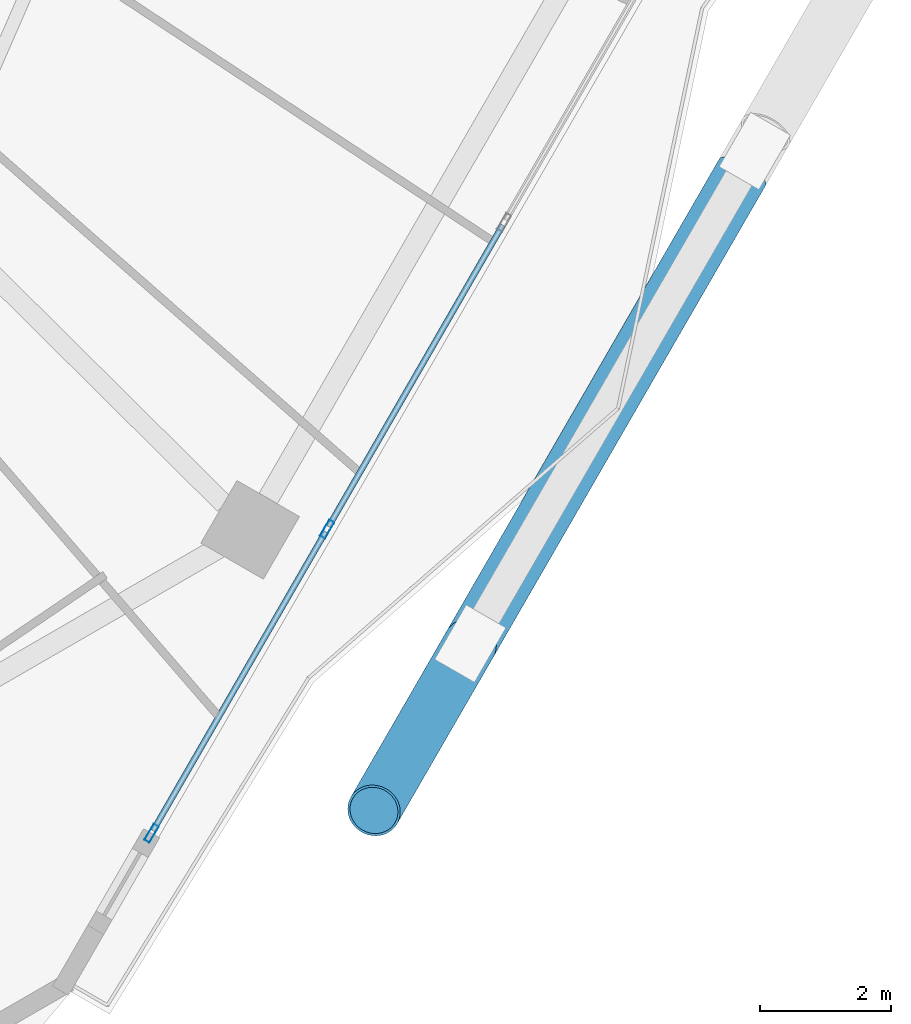
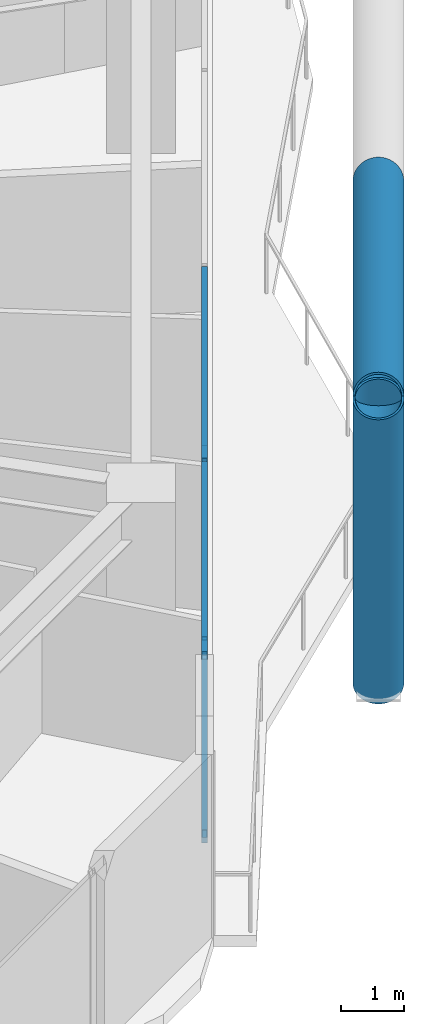
# One storey, part 9 of 34: 8 members, 1 element without a shape of its own.
"""IFC4 building model written with IfcOpenShell, lengths in metres."""

from ifc_helpers import new_model, si_unit, direction, frame, origin, origin_2d, place, context, subcontext, project, spatial, hollow_rectangle, hollow_circle, extrude, material, material_profile, profile_set, type_object, element, aggregate, save


model = new_model("IFC4")

# Units and contexts
model_context = context("Model", 3, precision=1e-05, world=origin(), true_north=direction((0.0, 1.0)))
body_context = subcontext(model_context, "Body", "Model", "MODEL_VIEW")
ifc_project = project(units=[si_unit("LENGTHUNIT", "METRE"), si_unit("AREAUNIT", "SQUARE_METRE"), si_unit("VOLUMEUNIT", "CUBIC_METRE"), si_unit("PLANEANGLEUNIT", "RADIAN"), si_unit("MASSUNIT", "GRAM", prefix="KILO")], contexts=[model_context])

# Site, building, storey
site_placement = place(None, origin())
site = spatial("IfcSite", under=ifc_project, at=site_placement, CompositionType="ELEMENT")
building_placement = place(site_placement, origin())
building = spatial("IfcBuilding", under=site, at=building_placement, Name="Zuhravey Tower", CompositionType="ELEMENT")
storey_placement = place(building_placement, frame((0.0, 0.0, 130.39990234375)))
storey = spatial("IfcBuildingStorey", under=building, at=storey_placement, Name="L32", CompositionType="ELEMENT", Elevation=130.39990234375)

# Curtain wall, members
ifc_material_1 = material(Name="Thermally broken anodised aluminium", Category="aluminium")
curtain_wall_type = type_object("IfcCurtainWallType", Name="Zone 1-2 Residential Curtain Wall CW3", PredefinedType="NOTDEFINED", material=ifc_material_1)
curtain_wall_placement = place(storey_placement, origin())
curtain_wall = element("IfcCurtainWall", 1, at=curtain_wall_placement, inside=storey, type_object=curtain_wall_type, Name="L32 CW3 CW-L32-F6-1", PredefinedType="NOTDEFINED")
ifc_material_2 = material(Name="Anodised aluminium", Category="aluminium")
ifc_material_profile_1 = material_profile(ifc_material_2, hollow_rectangle(XDim=0.090087890625, YDim=0.284912109375, WallThickness=0.0048828125, at=origin_2d()), Name="ALU-RHS-90x285x5")
ifc_profile_set_1 = profile_set([ifc_material_profile_1], Name="Anodised aluminium")
member_type_1 = type_object("IfcMemberType", Name="Curtain-Wall Mullion 90x180", PredefinedType="MULLION", material=ifc_profile_set_1)
member_1_placement = place(storey_placement, frame((57.69140625, 11.653564453125, 0.0), z_axis=(0.0, 0.0, 1.0), x_axis=(0.866025653253, -0.499999567908, 0.0)))
member_1 = element("IfcMember", 2, at=member_1_placement, type_object=member_type_1, Name="CW3 mullion 5", PredefinedType="MULLION", context=body_context, shape_type="SweptSolid", body=[
    extrude(hollow_rectangle(XDim=0.090087890625, YDim=0.284912109375, WallThickness=0.0048828125, at=origin_2d()), origin(), (0.0, 0.0, 1.0), 3.550048828125),
])
member_2_placement = place(storey_placement, frame((55.01708984375, 7.021484375, 0.0), z_axis=(0.0, 0.0, 1.0), x_axis=(0.866025653253, -0.499999567908, 0.0)))
member_2 = element("IfcMember", 3, at=member_2_placement, type_object=member_type_1, Name="CW3 mullion 6", PredefinedType="MULLION", context=body_context, shape_type="SweptSolid", body=[
    extrude(hollow_rectangle(XDim=0.090087890625, YDim=0.284912109375, WallThickness=0.0048828125, at=origin_2d()), origin(), (0.0, 0.0, 1.0), 3.550048828125),
])
ifc_material_profile_2 = material_profile(ifc_material_2, hollow_rectangle(XDim=0.090087890625, YDim=0.14990234375, WallThickness=0.0048828125, at=origin_2d()), Name="ALU-RHS-90x150x5")
ifc_profile_set_2 = profile_set([ifc_material_profile_2], Name="Anodised aluminium")
member_type_2 = type_object("IfcMemberType", Name="Curtain-Wall Transom 90x150", PredefinedType="USERDEFINED", material=ifc_profile_set_2)
member_3_placement = place(storey_placement, frame((60.365478515625, 16.28564453125, 0.045166015625), z_axis=(-0.49995622392, -0.866050676441, 0.0), x_axis=(0.866050676441, -0.49995622392, 0.0)))
member_3 = element("IfcMember", 4, at=member_3_placement, type_object=member_type_2, Name="CW3 transom 4.1", ObjectType="TRANSOM", PredefinedType="USERDEFINED", context=body_context, shape_type="SweptSolid", body=[
    extrude(hollow_rectangle(XDim=0.090087890625, YDim=0.14990234375, WallThickness=0.0048828125, at=origin_2d()), origin(), (0.0, 0.0, 1.0), 5.3037109375),
])
member_4_placement = place(storey_placement, frame((60.365478515625, 16.28564453125, 3.505126953125), z_axis=(-0.49995622392, -0.866050676441, 0.0), x_axis=(0.866050676441, -0.49995622392, 0.0)))
member_4 = element("IfcMember", 5, at=member_4_placement, type_object=member_type_2, Name="CW3 transom 4.2", ObjectType="TRANSOM", PredefinedType="USERDEFINED", context=body_context, shape_type="SweptSolid", body=[
    extrude(hollow_rectangle(XDim=0.090087890625, YDim=0.14990234375, WallThickness=0.0048828125, at=origin_2d()), origin(), (0.0, 0.0, 1.0), 5.3037109375),
])
member_5_placement = place(storey_placement, frame((57.668701171875, 11.614501953125, 0.045166015625), z_axis=(-0.499989046147, -0.866031727902, 0.0), x_axis=(0.866031727902, -0.499989046147, 0.0)))
member_5 = element("IfcMember", 6, at=member_5_placement, type_object=member_type_2, Name="CW3 transom 5.1", ObjectType="TRANSOM", PredefinedType="USERDEFINED", context=body_context, shape_type="SweptSolid", body=[
    extrude(hollow_rectangle(XDim=0.090087890625, YDim=0.14990234375, WallThickness=0.0048828125, at=origin_2d()), origin(), (0.0, 0.0, 1.0), 5.25830078125),
])
member_6_placement = place(storey_placement, frame((57.668701171875, 11.614501953125, 3.505126953125), z_axis=(-0.499989046147, -0.866031727902, 0.0), x_axis=(0.866031727902, -0.499989046147, 0.0)))
member_6 = element("IfcMember", 7, at=member_6_placement, type_object=member_type_2, Name="CW3 transom 5.2", ObjectType="TRANSOM", PredefinedType="USERDEFINED", context=body_context, shape_type="SweptSolid", body=[
    extrude(hollow_rectangle(XDim=0.090087890625, YDim=0.14990234375, WallThickness=0.0048828125, at=origin_2d()), origin(), (0.0, 0.0, 1.0), 5.25830078125),
])
aggregate(curtain_wall, [member_1, member_2, member_3, member_4, member_5, member_6])

# Members
ifc_material_3 = material(Name="Steel SM460", Category="steel")
ifc_material_profile_3 = material_profile(ifc_material_3, hollow_circle(Radius=0.406494140625, WallThickness=0.035888671875, at=origin_2d()), Name="CHS-812.8x36")
ifc_profile_set_3 = profile_set([ifc_material_profile_3], Name="Steel SM460")
member_type_3 = type_object("IfcMemberType", Name="Exoskeleton Zone 1 Diagrid CHS813x36", PredefinedType="BRACE", material=ifc_profile_set_3)
member_7_placement = place(storey_placement, frame((59.867919921875, 9.9033203125, -0.44189453125), z_axis=(-0.180574288521, -0.312728273078, 0.932520216158), x_axis=(0.866000778371, -0.500042650041, 0.0)))
element("IfcMember", 8, at=member_7_placement, inside=storey, type_object=member_type_3, Name="L32 Face 6 Diagrid Brace 1", PredefinedType="BRACE", context=body_context, shape_type="SweptSolid", body=[
    extrude(hollow_circle(Radius=0.406494140625, WallThickness=0.035888671875, at=origin_2d()), origin(), (0.0, 0.0, 1.0), 8.102783203125),
])
member_8_placement = place(storey_placement, frame((64.016357421875, 17.0888671875, 3.45947265625), z_axis=(-0.475188029637, -0.823049078063, 0.311105370557), x_axis=(0.866025211119, -0.500000333706, 0.0)))
element("IfcMember", 9, at=member_8_placement, inside=storey, type_object=member_type_3, Name="L32 Face 6 Split Diagrid Brace 3B", PredefinedType="BRACE", context=body_context, shape_type="SweptSolid", body=[
    extrude(hollow_circle(Radius=0.406494140625, WallThickness=0.035888671875, at=origin_2d()), origin(), (0.0, 0.0, 1.0), 11.763427734375),
])

save(model, "model.ifc")
